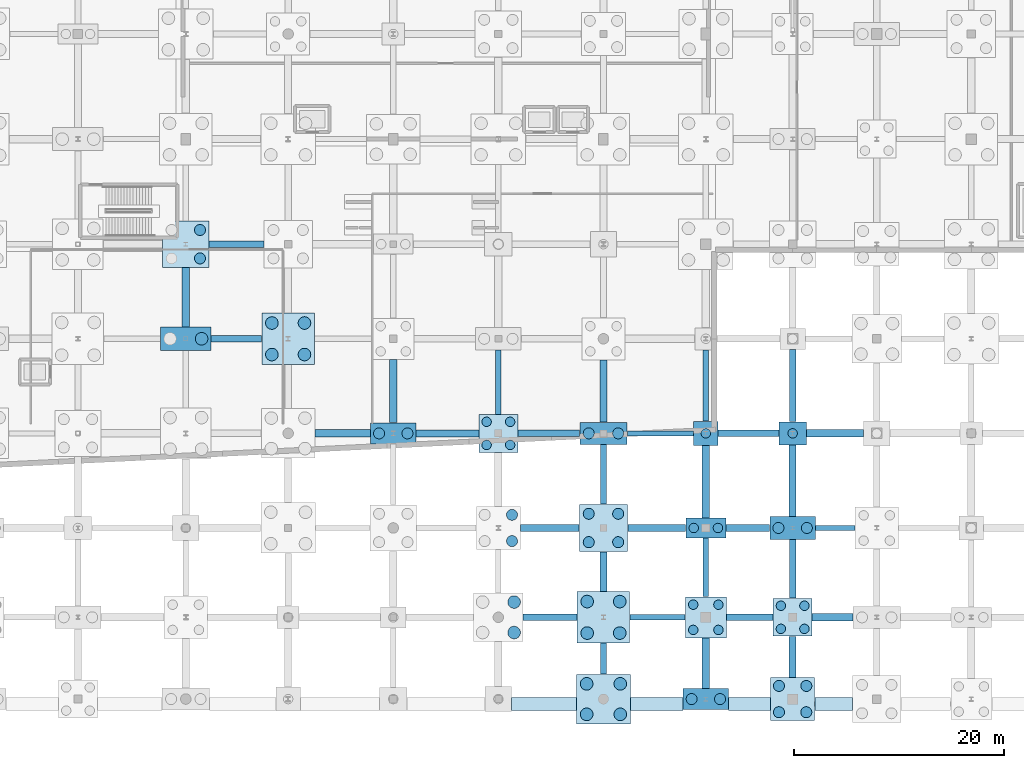
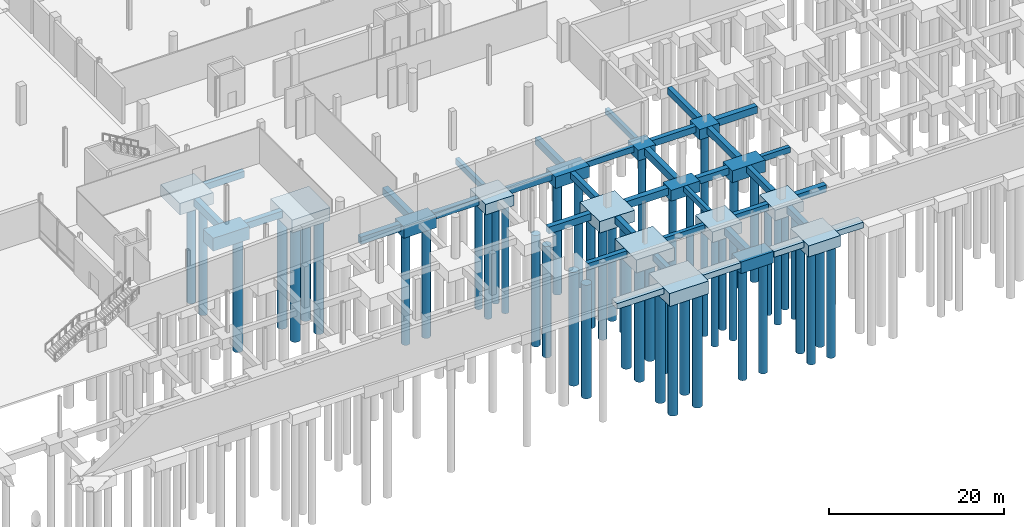
# One storey, part 4 of 60: 52 footings, 51 piles.
"""IFC4 building model written with IfcOpenShell, lengths in metres."""

from ifc_helpers import new_model, si_unit, direction, frame, origin, origin_2d, place, context, subcontext, project, spatial, rectangle, circle, extrude, material, material_profile, profile_set, type_object, element, save


model = new_model("IFC4")

# Units and contexts
model_context = context("Model", 3, precision=1e-05, world=origin(), true_north=direction((0.0, 1.0)))
body_context = subcontext(model_context, "Body", "Model", "MODEL_VIEW")
ifc_project = project(units=[si_unit("LENGTHUNIT", "METRE"), si_unit("AREAUNIT", "SQUARE_METRE"), si_unit("VOLUMEUNIT", "CUBIC_METRE"), si_unit("PLANEANGLEUNIT", "RADIAN"), si_unit("MASSUNIT", "GRAM", prefix="KILO")], contexts=[model_context])

# Site, building, storey
site_placement = place(None, origin())
site = spatial("IfcSite", under=ifc_project, at=site_placement, CompositionType="ELEMENT")
building_placement = place(site_placement, origin())
building = spatial("IfcBuilding", under=site, at=building_placement, Name="Trimount Lyric Opera House", CompositionType="ELEMENT")
storey_placement = place(building_placement, frame((0.0, 0.0, -5.39990234375)))
storey = spatial("IfcBuildingStorey", under=building, at=storey_placement, Name="B1", CompositionType="ELEMENT", Elevation=-5.39990234375)

# Footings
ifc_material_1 = material(Name="Concrete C40/50", Category="concrete")
footing_type_1 = type_object("IfcFootingType", Name="FB-01", PredefinedType="FOOTING_BEAM", material=ifc_material_1)
footing_1_placement = place(storey_placement, frame((64.260009765625, 38.949951171875, -1.60009765625), z_axis=(0.0, 0.0, 1.0), x_axis=(1.0, 0.0, 0.0)))
element("IfcFooting", 1, at=footing_1_placement, inside=storey, type_object=footing_type_1, Name="Ground tie beam Y-0152", PredefinedType="FOOTING_BEAM", context=body_context, shape_type="SweptSolid", body=[
    extrude(rectangle(XDim=0.699951171875, YDim=5.669921875, at=origin_2d()), origin(), (0.0, 0.0, 1.0), 1.0),
])
footing_2_placement = place(storey_placement, frame((79.199951171875, 26.0, -1.60009765625), z_axis=(0.0, 0.0, 1.0), x_axis=(1.0, 0.0, 0.0)))
element("IfcFooting", 2, at=footing_2_placement, inside=storey, type_object=footing_type_1, Name="Ground tie beam X-0172", PredefinedType="FOOTING_BEAM", context=body_context, shape_type="SweptSolid", body=[
    extrude(rectangle(XDim=5.27001953125, YDim=0.699951171875, at=origin_2d()), origin(), (0.0, 0.0, 1.0), 1.0),
])
footing_3_placement = place(storey_placement, frame((84.0, 30.02490234375, -1.60009765625), z_axis=(0.0, 0.0, 1.0), x_axis=(1.0, 0.0, 0.0)))
element("IfcFooting", 3, at=footing_3_placement, inside=storey, type_object=footing_type_1, Name="Ground tie beam Y-0196", PredefinedType="FOOTING_BEAM", context=body_context, shape_type="SweptSolid", body=[
    extrude(rectangle(XDim=0.699951171875, YDim=6.02001953125, at=origin_2d()), origin(), (0.0, 0.0, 1.0), 1.0),
])
footing_4_placement = place(storey_placement, frame((109.070068359375, 17.0, -1.60009765625), z_axis=(0.0, 0.0, 1.0), x_axis=(1.0, 0.0, 0.0)))
element("IfcFooting", 4, at=footing_4_placement, inside=storey, type_object=footing_type_1, Name="Ground tie beam X-0244", PredefinedType="FOOTING_BEAM", context=body_context, shape_type="SweptSolid", body=[
    extrude(rectangle(XDim=5.510009765625, YDim=0.699951171875, at=origin_2d()), origin(), (0.0, 0.0, 1.0), 1.0),
])
footing_5_placement = place(storey_placement, frame((113.739990234375, 4.135009765625, -1.60009765625), z_axis=(0.0, 0.0, 1.0), x_axis=(1.0, 0.0, 0.0)))
element("IfcFooting", 5, at=footing_5_placement, inside=storey, type_object=footing_type_1, Name="Ground tie beam Y-0264", PredefinedType="FOOTING_BEAM", context=body_context, shape_type="SweptSolid", body=[
    extrude(rectangle(XDim=0.699951171875, YDim=4.800048828125, at=origin_2d()), origin(), (0.0, 0.0, 1.0), 1.0),
])
footing_6_placement = place(storey_placement, frame((113.739990234375, 21.39990234375, -1.60009765625), z_axis=(0.0, 0.0, 1.0), x_axis=(1.0, 0.0, 0.0)))
element("IfcFooting", 6, at=footing_6_placement, inside=storey, type_object=footing_type_1, Name="Ground tie beam Y-0268", PredefinedType="FOOTING_BEAM", context=body_context, shape_type="SweptSolid", body=[
    extrude(rectangle(XDim=0.699951171875, YDim=6.8701171875, at=origin_2d()), origin(), (0.0, 0.0, 1.0), 1.0),
])
footing_7_placement = place(storey_placement, frame((125.800048828125, 8.5, -1.60009765625), z_axis=(0.0, 0.0, 1.0), x_axis=(1.0, 0.0, 0.0)))
element("IfcFooting", 7, at=footing_7_placement, inside=storey, type_object=footing_type_1, Name="Ground tie beam X-0288", PredefinedType="FOOTING_BEAM", context=body_context, shape_type="SweptSolid", body=[
    extrude(rectangle(XDim=3.8701171875, YDim=0.699951171875, at=origin_2d()), origin(), (0.0, 0.0, 1.0), 1.0),
])
footing_8_placement = place(storey_placement, frame((126.02490234375, 26.0, -1.60009765625), z_axis=(0.0, 0.0, 1.0), x_axis=(1.0, 0.0, 0.0)))
element("IfcFooting", 8, at=footing_8_placement, inside=storey, type_object=footing_type_1, Name="Ground tie beam X-0292", PredefinedType="FOOTING_BEAM", context=body_context, shape_type="SweptSolid", body=[
    extrude(rectangle(XDim=5.419921875, YDim=0.699951171875, at=origin_2d()), origin(), (0.0, 0.0, 1.0), 1.0),
])
ifc_material_2 = material(Name="Concrete C40/50", Category="concrete")
footing_type_2 = type_object("IfcFootingType", Name="FB-02", PredefinedType="FOOTING_BEAM", material=ifc_material_2)
footing_9_placement = place(storey_placement, frame((69.080078125, 44.0, -1.5), z_axis=(0.0, 0.0, 1.0), x_axis=(1.0, 0.0, 0.0)))
element("IfcFooting", 9, at=footing_9_placement, inside=storey, type_object=footing_type_2, Name="Ground tie beam X-0153", PredefinedType="FOOTING_BEAM", context=body_context, shape_type="SweptSolid", body=[
    extrude(rectangle(XDim=5.2099609375, YDim=0.60009765625, at=origin_2d()), origin(), (0.0, 0.0, 1.0), 0.89990234375),
])
footing_10_placement = place(storey_placement, frame((98.925048828125, 8.5, -1.5), z_axis=(0.0, 0.0, 1.0), x_axis=(1.0, 0.0, 0.0)))
element("IfcFooting", 10, at=footing_10_placement, inside=storey, type_object=footing_type_2, Name="Ground tie beam X-0217", PredefinedType="FOOTING_BEAM", context=body_context, shape_type="SweptSolid", body=[
    extrude(rectangle(XDim=5.1201171875, YDim=0.60009765625, at=origin_2d()), origin(), (0.0, 0.0, 1.0), 0.89990234375),
])
footing_11_placement = place(storey_placement, frame((98.800048828125, 26.0, -1.5), z_axis=(0.0, 0.0, 1.0), x_axis=(1.0, 0.0, 0.0)))
element("IfcFooting", 11, at=footing_11_placement, inside=storey, type_object=footing_type_2, Name="Ground tie beam X-0221", PredefinedType="FOOTING_BEAM", context=body_context, shape_type="SweptSolid", body=[
    extrude(rectangle(XDim=5.8701171875, YDim=0.60009765625, at=origin_2d()), origin(), (0.0, 0.0, 1.0), 0.89990234375),
])
footing_12_placement = place(storey_placement, frame((104.0, 4.56005859375, -1.5), z_axis=(0.0, 0.0, 1.0), x_axis=(1.0, 0.0, 0.0)))
element("IfcFooting", 12, at=footing_12_placement, inside=storey, type_object=footing_type_2, Name="Ground tie beam Y-0241", PredefinedType="FOOTING_BEAM", context=body_context, shape_type="SweptSolid", body=[
    extrude(rectangle(XDim=0.60009765625, YDim=2.949951171875, at=origin_2d()), origin(), (0.0, 0.0, 1.0), 0.89990234375),
])
footing_13_placement = place(storey_placement, frame((104.0, 22.10009765625, -1.5), z_axis=(0.0, 0.0, 1.0), x_axis=(1.0, 0.0, 0.0)))
element("IfcFooting", 13, at=footing_13_placement, inside=storey, type_object=footing_type_2, Name="Ground tie beam Y-0245", PredefinedType="FOOTING_BEAM", context=body_context, shape_type="SweptSolid", body=[
    extrude(rectangle(XDim=0.60009765625, YDim=5.669921875, at=origin_2d()), origin(), (0.0, 0.0, 1.0), 0.89990234375),
])
footing_14_placement = place(storey_placement, frame((117.919921875, 8.5, -1.5), z_axis=(0.0, 0.0, 1.0), x_axis=(1.0, 0.0, 0.0)))
element("IfcFooting", 14, at=footing_14_placement, inside=storey, type_object=footing_type_2, Name="Ground tie beam X-0265", PredefinedType="FOOTING_BEAM", context=body_context, shape_type="SweptSolid", body=[
    extrude(rectangle(XDim=4.429931640625, YDim=0.60009765625, at=origin_2d()), origin(), (0.0, 0.0, 1.0), 0.89990234375),
])
footing_15_placement = place(storey_placement, frame((117.794921875, 26.0, -1.5), z_axis=(0.0, 0.0, 1.0), x_axis=(1.0, 0.0, 0.0)))
element("IfcFooting", 15, at=footing_15_placement, inside=storey, type_object=footing_type_2, Name="Ground tie beam X-0269", PredefinedType="FOOTING_BEAM", context=body_context, shape_type="SweptSolid", body=[
    extrude(rectangle(XDim=5.780029296875, YDim=0.60009765625, at=origin_2d()), origin(), (0.0, 0.0, 1.0), 0.89990234375),
])
footing_16_placement = place(storey_placement, frame((122.0, 13.112548828125, -1.5), z_axis=(0.0, 0.0, 1.0), x_axis=(1.0, 0.0, 0.0)))
element("IfcFooting", 16, at=footing_16_placement, inside=storey, type_object=footing_type_2, Name="Ground tie beam Y-0289", PredefinedType="FOOTING_BEAM", context=body_context, shape_type="SweptSolid", body=[
    extrude(rectangle(XDim=0.60009765625, YDim=5.594970703125, at=origin_2d()), origin(), (0.0, 0.0, 1.0), 0.89990234375),
])
footing_17_placement = place(storey_placement, frame((122.0, 30.550048828125, -1.5), z_axis=(0.0, 0.0, 1.0), x_axis=(1.0, 0.0, 0.0)))
element("IfcFooting", 17, at=footing_17_placement, inside=storey, type_object=footing_type_2, Name="Ground tie beam Y-0293", PredefinedType="FOOTING_BEAM", context=body_context, shape_type="SweptSolid", body=[
    extrude(rectangle(XDim=0.60009765625, YDim=6.8701171875, at=origin_2d()), origin(), (0.0, 0.0, 1.0), 0.89990234375),
])
ifc_material_3 = material(Name="Concrete C40/50", Category="concrete")
footing_type_3 = type_object("IfcFootingType", Name="FB-03", PredefinedType="FOOTING_BEAM", material=ifc_material_3)
footing_18_placement = place(storey_placement, frame((94.0, 30.862548828125, -1.39990234375), z_axis=(0.0, 0.0, 1.0), x_axis=(1.0, 0.0, 0.0)))
element("IfcFooting", 18, at=footing_18_placement, inside=storey, type_object=footing_type_3, Name="Ground tie beam Y-0222", PredefinedType="FOOTING_BEAM", context=body_context, shape_type="SweptSolid", body=[
    extrude(rectangle(XDim=0.5, YDim=6.094970703125, at=origin_2d()), origin(), (0.0, 0.0, 1.0), 0.800048828125),
])
footing_19_placement = place(storey_placement, frame((109.14501953125, 8.5, -1.39990234375), z_axis=(0.0, 0.0, 1.0), x_axis=(1.0, 0.0, 0.0)))
element("IfcFooting", 19, at=footing_19_placement, inside=storey, type_object=footing_type_3, Name="Ground tie beam X-0242", PredefinedType="FOOTING_BEAM", context=body_context, shape_type="SweptSolid", body=[
    extrude(rectangle(XDim=5.260009765625, YDim=0.5, at=origin_2d()), origin(), (0.0, 0.0, 1.0), 0.800048828125),
])
footing_20_placement = place(storey_placement, frame((109.419921875, 26.0, -1.39990234375), z_axis=(0.0, 0.0, 1.0), x_axis=(1.0, 0.0, 0.0)))
element("IfcFooting", 20, at=footing_20_placement, inside=storey, type_object=footing_type_3, Name="Ground tie beam X-0246", PredefinedType="FOOTING_BEAM", context=body_context, shape_type="SweptSolid", body=[
    extrude(rectangle(XDim=6.31005859375, YDim=0.5, at=origin_2d()), origin(), (0.0, 0.0, 1.0), 0.800048828125),
])
footing_21_placement = place(storey_placement, frame((113.739990234375, 13.25, -1.39990234375), z_axis=(0.0, 0.0, 1.0), x_axis=(1.0, 0.0, 0.0)))
element("IfcFooting", 21, at=footing_21_placement, inside=storey, type_object=footing_type_3, Name="Ground tie beam Y-0266", PredefinedType="FOOTING_BEAM", context=body_context, shape_type="SweptSolid", body=[
    extrude(rectangle(XDim=0.5, YDim=5.570068359375, at=origin_2d()), origin(), (0.0, 0.0, 1.0), 0.800048828125),
])
footing_22_placement = place(storey_placement, frame((113.739990234375, 30.550048828125, -1.39990234375), z_axis=(0.0, 0.0, 1.0), x_axis=(1.0, 0.0, 0.0)))
element("IfcFooting", 22, at=footing_22_placement, inside=storey, type_object=footing_type_3, Name="Ground tie beam Y-0270", PredefinedType="FOOTING_BEAM", context=body_context, shape_type="SweptSolid", body=[
    extrude(rectangle(XDim=0.5, YDim=6.77001953125, at=origin_2d()), origin(), (0.0, 0.0, 1.0), 0.800048828125),
])
footing_23_placement = place(storey_placement, frame((126.0625, 17.0, -1.39990234375), z_axis=(0.0, 0.0, 1.0), x_axis=(1.0, 0.0, 0.0)))
element("IfcFooting", 23, at=footing_23_placement, inside=storey, type_object=footing_type_3, Name="Ground tie beam X-0290", PredefinedType="FOOTING_BEAM", context=body_context, shape_type="SweptSolid", body=[
    extrude(rectangle(XDim=3.7451171875, YDim=0.5, at=origin_2d()), origin(), (0.0, 0.0, 1.0), 0.800048828125),
])
ifc_material_4 = material(Name="Concrete C40/50", Category="concrete")
footing_type_4 = type_object("IfcFootingType", Name="FB-04", PredefinedType="FOOTING_BEAM", material=ifc_material_4)
footing_24_placement = place(storey_placement, frame((69.080078125, 35.0, -1.55029296875), z_axis=(0.0, 0.0, 1.0), x_axis=(1.0, 0.0, 0.0)))
element("IfcFooting", 24, at=footing_24_placement, inside=storey, type_object=footing_type_4, Name="Ground tie beam X-0151", PredefinedType="FOOTING_BEAM", context=body_context, shape_type="SweptSolid", body=[
    extrude(rectangle(XDim=4.81005859375, YDim=0.64990234375, at=origin_2d()), origin(), (0.0, 0.0, 1.0), 0.949951171875),
])
footing_25_placement = place(storey_placement, frame((89.14990234375, 26.0, -1.55029296875), z_axis=(0.0, 0.0, 1.0), x_axis=(1.0, 0.0, 0.0)))
element("IfcFooting", 25, at=footing_25_placement, inside=storey, type_object=footing_type_4, Name="Ground tie beam X-0195", PredefinedType="FOOTING_BEAM", context=body_context, shape_type="SweptSolid", body=[
    extrude(rectangle(XDim=5.969970703125, YDim=0.64990234375, at=origin_2d()), origin(), (0.0, 0.0, 1.0), 0.949951171875),
])
footing_26_placement = place(storey_placement, frame((98.89990234375, 17.0, -1.55029296875), z_axis=(0.0, 0.0, 1.0), x_axis=(1.0, 0.0, 0.0)))
element("IfcFooting", 26, at=footing_26_placement, inside=storey, type_object=footing_type_4, Name="Ground tie beam X-0219", PredefinedType="FOOTING_BEAM", context=body_context, shape_type="SweptSolid", body=[
    extrude(rectangle(XDim=5.570068359375, YDim=0.64990234375, at=origin_2d()), origin(), (0.0, 0.0, 1.0), 0.949951171875),
])
footing_27_placement = place(storey_placement, frame((104.0, 12.85009765625, -1.55029296875), z_axis=(0.0, 0.0, 1.0), x_axis=(1.0, 0.0, 0.0)))
element("IfcFooting", 27, at=footing_27_placement, inside=storey, type_object=footing_type_4, Name="Ground tie beam Y-0243", PredefinedType="FOOTING_BEAM", context=body_context, shape_type="SweptSolid", body=[
    extrude(rectangle(XDim=0.64990234375, YDim=3.77001953125, at=origin_2d()), origin(), (0.0, 0.0, 1.0), 0.949951171875),
])
footing_28_placement = place(storey_placement, frame((104.0, 30.02490234375, -1.55029296875), z_axis=(0.0, 0.0, 1.0), x_axis=(1.0, 0.0, 0.0)))
element("IfcFooting", 28, at=footing_28_placement, inside=storey, type_object=footing_type_4, Name="Ground tie beam Y-0247", PredefinedType="FOOTING_BEAM", context=body_context, shape_type="SweptSolid", body=[
    extrude(rectangle(XDim=0.64990234375, YDim=5.919921875, at=origin_2d()), origin(), (0.0, 0.0, 1.0), 0.949951171875),
])
footing_29_placement = place(storey_placement, frame((117.732421875, 17.0, -1.55029296875), z_axis=(0.0, 0.0, 1.0), x_axis=(1.0, 0.0, 0.0)))
element("IfcFooting", 29, at=footing_29_placement, inside=storey, type_object=footing_type_4, Name="Ground tie beam X-0267", PredefinedType="FOOTING_BEAM", context=body_context, shape_type="SweptSolid", body=[
    extrude(rectangle(XDim=4.155029296875, YDim=0.64990234375, at=origin_2d()), origin(), (0.0, 0.0, 1.0), 0.949951171875),
])
footing_30_placement = place(storey_placement, frame((122.0, 4.735107421875, -1.55029296875), z_axis=(0.0, 0.0, 1.0), x_axis=(1.0, 0.0, 0.0)))
element("IfcFooting", 30, at=footing_30_placement, inside=storey, type_object=footing_type_4, Name="Ground tie beam Y-0287", PredefinedType="FOOTING_BEAM", context=body_context, shape_type="SweptSolid", body=[
    extrude(rectangle(XDim=0.64990234375, YDim=3.89990234375, at=origin_2d()), origin(), (0.0, 0.0, 1.0), 0.949951171875),
])
footing_31_placement = place(storey_placement, frame((122.0, 21.487548828125, -1.55029296875), z_axis=(0.0, 0.0, 1.0), x_axis=(1.0, 0.0, 0.0)))
element("IfcFooting", 31, at=footing_31_placement, inside=storey, type_object=footing_type_4, Name="Ground tie beam Y-0291", PredefinedType="FOOTING_BEAM", context=body_context, shape_type="SweptSolid", body=[
    extrude(rectangle(XDim=0.64990234375, YDim=6.794921875, at=origin_2d()), origin(), (0.0, 0.0, 1.0), 0.949951171875),
])
ifc_material_5 = material(Name="Concrete C40/50", Category="concrete")
footing_type_5 = type_object("IfcFootingType", Name="PC-03", PredefinedType="PILE_CAP", material=ifc_material_5)
footing_32_placement = place(storey_placement, frame((64.260009765625, 35.0, -2.39990234375), z_axis=(0.0, 0.0, 1.0), x_axis=(1.0, 0.0, 0.0)))
element("IfcFooting", 32, at=footing_32_placement, inside=storey, type_object=footing_type_5, Name="Pile cap 8/E", PredefinedType="PILE_CAP", context=body_context, shape_type="SweptSolid", body=[
    extrude(rectangle(XDim=4.800048828125, YDim=2.199951171875, at=origin_2d()), origin(), (0.0, 0.0, 1.0), 1.800048828125),
])
ifc_material_6 = material(Name="Concrete C40/50", Category="concrete")
footing_type_6 = type_object("IfcFootingType", Name="PC-04", PredefinedType="PILE_CAP", material=ifc_material_6)
footing_33_placement = place(storey_placement, frame((64.260009765625, 44.0, -2.2001953125), z_axis=(0.0, 0.0, 1.0), x_axis=(1.0, 0.0, 0.0)))
element("IfcFooting", 33, at=footing_33_placement, inside=storey, type_object=footing_type_6, Name="Pile cap 8/F", PredefinedType="PILE_CAP", context=body_context, shape_type="SweptSolid", body=[
    extrude(rectangle(XDim=4.39990234375, YDim=4.39990234375, at=origin_2d()), origin(), (0.0, 0.0, 1.0), 1.60009765625),
])
ifc_material_7 = material(Name="Concrete C40/50", Category="concrete")
footing_type_7 = type_object("IfcFootingType", Name="PC-05", PredefinedType="PILE_CAP", material=ifc_material_7)
for number, where, z_axis, x_axis, name in (
    (34, (84.0, 26.0, -2.2001953125), (0.0, 0.0, 1.0), (1.0, 0.0, 0.0), "Pile cap 10/D"),
    (35, (113.739990234375, 0.719970703125, -2.2001953125), (0.0, 0.0, 1.0), (1.0, 0.0, 0.0), "Pile cap 13/A"),
):
    element("IfcFooting", number, at=place(storey_placement, frame(where, z_axis=z_axis, x_axis=x_axis)), inside=storey, type_object=footing_type_7, Name=name, PredefinedType="PILE_CAP", context=body_context, shape_type="SweptSolid", body=[
        extrude(rectangle(XDim=4.300048828125, YDim=2.0, at=origin_2d()), origin(), (0.0, 0.0, 1.0), 1.60009765625),
    ])
ifc_material_8 = material(Name="Concrete C40/50", Category="concrete")
footing_type_8 = type_object("IfcFootingType", Name="PC-06", PredefinedType="PILE_CAP", material=ifc_material_8)
footing_34_placement = place(storey_placement, frame((113.739990234375, 8.5, -2.10009765625), z_axis=(0.0, 0.0, 1.0), x_axis=(1.0, 0.0, 0.0)))
element("IfcFooting", 36, at=footing_34_placement, inside=storey, type_object=footing_type_8, Name="Pile cap 13/B", PredefinedType="PILE_CAP", context=body_context, shape_type="SweptSolid", body=[
    extrude(rectangle(XDim=3.89990234375, YDim=3.89990234375, at=origin_2d()), origin(), (0.0, 0.0, 1.0), 1.5),
])
ifc_material_9 = material(Name="Concrete C40/50", Category="concrete")
footing_type_9 = type_object("IfcFootingType", Name="PC-07", PredefinedType="PILE_CAP", material=ifc_material_9)
footing_35_placement = place(storey_placement, frame((113.739990234375, 17.0, -2.10009765625), z_axis=(0.0, 0.0, 1.0), x_axis=(1.0, 0.0, 0.0)))
element("IfcFooting", 37, at=footing_35_placement, inside=storey, type_object=footing_type_9, Name="Pile cap 13/C", PredefinedType="PILE_CAP", context=body_context, shape_type="SweptSolid", body=[
    extrude(rectangle(XDim=3.800048828125, YDim=1.89990234375, at=origin_2d()), origin(), (0.0, 0.0, 1.0), 1.5),
])
ifc_material_10 = material(Name="Concrete C40/50", Category="concrete")
footing_type_10 = type_object("IfcFootingType", Name="PC-08", PredefinedType="PILE_CAP", material=ifc_material_10)
footing_36_placement = place(storey_placement, frame((113.739990234375, 26.0, -2.10009765625), z_axis=(0.0, 0.0, 1.0), x_axis=(1.0, 0.0, 0.0)))
element("IfcFooting", 38, at=footing_36_placement, inside=storey, type_object=footing_type_10, Name="Pile cap 13/D", PredefinedType="PILE_CAP", context=body_context, shape_type="SweptSolid", body=[
    extrude(rectangle(XDim=2.300048828125, YDim=2.300048828125, at=origin_2d()), origin(), (0.0, 0.0, 1.0), 1.5),
])
ifc_material_11 = material(Name="Concrete C40/50", Category="concrete")
footing_type_11 = type_object("IfcFootingType", Name="PC-11", PredefinedType="PILE_CAP", material=ifc_material_11)
footing_37_placement = place(storey_placement, frame((104.0, 0.719970703125, -2.39990234375), z_axis=(0.0, 0.0, 1.0), x_axis=(1.0, 0.0, 0.0)))
element("IfcFooting", 39, at=footing_37_placement, inside=storey, type_object=footing_type_11, Name="Pile cap 12/A", PredefinedType="PILE_CAP", context=body_context, shape_type="SweptSolid", body=[
    extrude(rectangle(XDim=5.10009765625, YDim=4.699951171875, at=origin_2d()), origin(), (0.0, 0.0, 1.0), 1.800048828125),
])
ifc_material_12 = material(Name="Concrete C40/50", Category="concrete")
footing_type_12 = type_object("IfcFootingType", Name="PC-12", PredefinedType="PILE_CAP", material=ifc_material_12)
for number, where, z_axis, x_axis, name in (
    (40, (74.0, 35.0, -2.39990234375), (0.0, 0.0, 1.0), (1.0, 0.0, 0.0), "Pile cap 9/E"),
    (41, (104.0, 8.5, -2.39990234375), (0.0, 0.0, 1.0), (1.0, 0.0, 0.0), "Pile cap 12/B"),
):
    element("IfcFooting", number, at=place(storey_placement, frame(where, z_axis=z_axis, x_axis=x_axis)), inside=storey, type_object=footing_type_12, Name=name, PredefinedType="PILE_CAP", context=body_context, shape_type="SweptSolid", body=[
        extrude(rectangle(XDim=5.0, YDim=4.89990234375, at=origin_2d()), origin(), (0.0, 0.0, 1.0), 1.800048828125),
    ])
ifc_material_13 = material(Name="Concrete C40/50", Category="concrete")
footing_type_13 = type_object("IfcFootingType", Name="PC-13", PredefinedType="PILE_CAP", material=ifc_material_13)
footing_38_placement = place(storey_placement, frame((104.0, 17.0, -2.2001953125), z_axis=(0.0, 0.0, 1.0), x_axis=(1.0, 0.0, 0.0)))
element("IfcFooting", 42, at=footing_38_placement, inside=storey, type_object=footing_type_13, Name="Pile cap 12/C", PredefinedType="PILE_CAP", context=body_context, shape_type="SweptSolid", body=[
    extrude(rectangle(XDim=4.60009765625, YDim=4.5, at=origin_2d()), origin(), (0.0, 0.0, 1.0), 1.60009765625),
])
ifc_material_14 = material(Name="Concrete C40/50", Category="concrete")
footing_type_14 = type_object("IfcFootingType", Name="PC-14", PredefinedType="PILE_CAP", material=ifc_material_14)
footing_39_placement = place(storey_placement, frame((104.0, 26.0, -2.2001953125), z_axis=(0.0, 0.0, 1.0), x_axis=(1.0, 0.0, 0.0)))
element("IfcFooting", 43, at=footing_39_placement, inside=storey, type_object=footing_type_14, Name="Pile cap 12/D", PredefinedType="PILE_CAP", context=body_context, shape_type="SweptSolid", body=[
    extrude(rectangle(XDim=4.5, YDim=2.10009765625, at=origin_2d()), origin(), (0.0, 0.0, 1.0), 1.60009765625),
])
ifc_material_15 = material(Name="Concrete C40/50", Category="concrete")
footing_type_15 = type_object("IfcFootingType", Name="PC-18", PredefinedType="PILE_CAP", material=ifc_material_15)
footing_40_placement = place(storey_placement, frame((122.0, 0.719970703125, -2.14990234375), z_axis=(0.0, 0.0, 1.0), x_axis=(1.0, 0.0, 0.0)))
element("IfcFooting", 44, at=footing_40_placement, inside=storey, type_object=footing_type_15, Name="Pile cap 14/A", PredefinedType="PILE_CAP", context=body_context, shape_type="SweptSolid", body=[
    extrude(rectangle(XDim=4.199951171875, YDim=4.10009765625, at=origin_2d()), origin(), (0.0, 0.0, 1.0), 1.550048828125),
])
ifc_material_16 = material(Name="Concrete C40/50", Category="concrete")
footing_type_16 = type_object("IfcFootingType", Name="PC-19", PredefinedType="PILE_CAP", material=ifc_material_16)
for number, where, z_axis, x_axis, name in (
    (45, (94.0, 26.0, -2.05029296875), (0.0, 0.0, 1.0), (1.0, 0.0, 0.0), "Pile cap 11/D"),
    (46, (122.0, 8.5, -2.05029296875), (0.0, 0.0, 1.0), (1.0, 0.0, 0.0), "Pile cap 14/B"),
):
    element("IfcFooting", number, at=place(storey_placement, frame(where, z_axis=z_axis, x_axis=x_axis)), inside=storey, type_object=footing_type_16, Name=name, PredefinedType="PILE_CAP", context=body_context, shape_type="SweptSolid", body=[
        extrude(rectangle(XDim=3.699951171875, YDim=3.60009765625, at=origin_2d()), origin(), (0.0, 0.0, 1.0), 1.449951171875),
    ])
ifc_material_17 = material(Name="Concrete C40/50", Category="concrete")
footing_type_17 = type_object("IfcFootingType", Name="PC-20", PredefinedType="PILE_CAP", material=ifc_material_17)
footing_41_placement = place(storey_placement, frame((122.0, 17.0, -2.25), z_axis=(0.0, 0.0, 1.0), x_axis=(1.0, 0.0, 0.0)))
element("IfcFooting", 47, at=footing_41_placement, inside=storey, type_object=footing_type_17, Name="Pile cap 14/C", PredefinedType="PILE_CAP", context=body_context, shape_type="SweptSolid", body=[
    extrude(rectangle(XDim=4.35009765625, YDim=2.14990234375, at=origin_2d()), origin(), (0.0, 0.0, 1.0), 1.64990234375),
])
ifc_material_18 = material(Name="Concrete C40/50", Category="concrete")
footing_type_18 = type_object("IfcFootingType", Name="PC-21", PredefinedType="PILE_CAP", material=ifc_material_18)
footing_42_placement = place(storey_placement, frame((122.0, 26.0, -2.05029296875), z_axis=(0.0, 0.0, 1.0), x_axis=(1.0, 0.0, 0.0)))
element("IfcFooting", 48, at=footing_42_placement, inside=storey, type_object=footing_type_18, Name="Pile cap 14/D", PredefinedType="PILE_CAP", context=body_context, shape_type="SweptSolid", body=[
    extrude(rectangle(XDim=2.60009765625, YDim=2.199951171875, at=origin_2d()), origin(), (0.0, 0.0, 1.0), 1.449951171875),
])

# Piles
ifc_material_19 = material(Name="Concrete C40/50", Category="concrete")
ifc_material_profile_1 = material_profile(ifc_material_19, circle(Radius=0.52490234375, at=origin_2d()), Name="PILE-D1050")
ifc_profile_set_1 = profile_set([ifc_material_profile_1], Name="Concrete C40/50")
pile_type_1 = type_object("IfcPileType", Name="PL-1050", PredefinedType="BORED", material=ifc_profile_set_1)
for number, where, z_axis, x_axis, name in (
    (49, (65.610107421875, 42.64990234375, -2.10009765625), (0.0, 0.0, -1.0), (1.0, 0.0, 0.0), "Bored pile 0264"),
    (50, (65.610107421875, 45.35009765625, -2.10009765625), (0.0, 0.0, -1.0), (1.0, 0.0, 0.0), "Bored pile 0266"),
    (51, (82.64990234375, 26.0, -2.10009765625), (0.0, 0.0, -1.0), (1.0, 0.0, 0.0), "Bored pile 0344"),
    (52, (85.35009765625, 26.0, -2.10009765625), (0.0, 0.0, -1.0), (1.0, 0.0, 0.0), "Bored pile 0345"),
    (53, (95.300048828125, 15.75, -2.050048828125), (0.0, 0.0, -1.0), (1.0, 0.0, 0.0), "Bored pile 0385"),
    (54, (95.300048828125, 18.25, -2.050048828125), (0.0, 0.0, -1.0), (1.0, 0.0, 0.0), "Bored pile 0387"),
    (55, (102.60009765625, 15.64990234375, -2.10009765625), (0.0, 0.0, -1.0), (1.0, 0.0, 0.0), "Bored pile 0425"),
    (56, (105.39990234375, 15.64990234375, -2.10009765625), (0.0, 0.0, -1.0), (1.0, 0.0, 0.0), "Bored pile 0426"),
    (57, (102.60009765625, 18.35009765625, -2.10009765625), (0.0, 0.0, -1.0), (1.0, 0.0, 0.0), "Bored pile 0427"),
    (58, (105.39990234375, 18.35009765625, -2.10009765625), (0.0, 0.0, -1.0), (1.0, 0.0, 0.0), "Bored pile 0428"),
    (59, (102.60009765625, 26.0, -2.10009765625), (0.0, 0.0, -1.0), (1.0, 0.0, 0.0), "Bored pile 0429"),
    (60, (105.39990234375, 26.0, -2.10009765625), (0.0, 0.0, -1.0), (1.0, 0.0, 0.0), "Bored pile 0430"),
    (61, (112.389892578125, 0.719970703125, -2.10009765625), (0.0, 0.0, -1.0), (1.0, 0.0, 0.0), "Bored pile 0458"),
    (62, (115.090087890625, 0.719970703125, -2.10009765625), (0.0, 0.0, -1.0), (1.0, 0.0, 0.0), "Bored pile 0459"),
    (63, (120.699951171875, -0.530029296875, -2.050048828125), (0.0, 0.0, -1.0), (1.0, 0.0, 0.0), "Bored pile 0500"),
    (64, (123.300048828125, -0.530029296875, -2.050048828125), (0.0, 0.0, -1.0), (1.0, 0.0, 0.0), "Bored pile 0501"),
    (65, (120.699951171875, 1.969970703125, -2.050048828125), (0.0, 0.0, -1.0), (1.0, 0.0, 0.0), "Bored pile 0502"),
    (66, (123.300048828125, 1.969970703125, -2.050048828125), (0.0, 0.0, -1.0), (1.0, 0.0, 0.0), "Bored pile 0503"),
    (67, (120.64990234375, 17.0, -2.150146484375), (0.0, 0.0, -1.0), (1.0, 0.0, 0.0), "Bored pile 0508"),
    (68, (123.35009765625, 17.0, -2.150146484375), (0.0, 0.0, -1.0), (1.0, 0.0, 0.0), "Bored pile 0509"),
):
    element("IfcPile", number, at=place(storey_placement, frame(where, z_axis=z_axis, x_axis=x_axis)), inside=storey, type_object=pile_type_1, Name=name, PredefinedType="BORED", context=body_context, shape_type="SweptSolid", body=[
        extrude(circle(Radius=0.52490234375, at=origin_2d()), origin(), (0.0, 0.0, 1.0), 15.5),
    ])
ifc_material_20 = material(Name="Concrete C40/50", Category="concrete")
ifc_material_profile_2 = material_profile(ifc_material_20, circle(Radius=0.60009765625, at=origin_2d()), Name="PILE-D1200")
ifc_profile_set_2 = profile_set([ifc_material_profile_2], Name="Concrete C40/50")
pile_type_2 = type_object("IfcPileType", Name="PL-1200", PredefinedType="BORED", material=ifc_profile_set_2)
for number, where, z_axis, x_axis, name in (
    (69, (65.760009765625, 35.0, -2.300048828125), (0.0, 0.0, -1.0), (1.0, 0.0, 0.0), "Bored pile 0262"),
    (70, (72.449951171875, 33.5, -2.300048828125), (0.0, 0.0, -1.0), (1.0, 0.0, 0.0), "Bored pile 0305"),
    (71, (75.550048828125, 33.5, -2.300048828125), (0.0, 0.0, -1.0), (1.0, 0.0, 0.0), "Bored pile 0306"),
    (72, (72.449951171875, 36.5, -2.300048828125), (0.0, 0.0, -1.0), (1.0, 0.0, 0.0), "Bored pile 0307"),
    (73, (75.550048828125, 36.5, -2.300048828125), (0.0, 0.0, -1.0), (1.0, 0.0, 0.0), "Bored pile 0308"),
    (74, (95.5, 7.050048828125, -2.2001953125), (0.0, 0.0, -1.0), (1.0, 0.0, 0.0), "Bored pile 0381"),
    (75, (95.5, 9.949951171875, -2.2001953125), (0.0, 0.0, -1.0), (1.0, 0.0, 0.0), "Bored pile 0383"),
    (76, (102.39990234375, -0.72998046875, -2.300048828125), (0.0, 0.0, -1.0), (1.0, 0.0, 0.0), "Bored pile 0417"),
    (77, (105.60009765625, -0.72998046875, -2.300048828125), (0.0, 0.0, -1.0), (1.0, 0.0, 0.0), "Bored pile 0418"),
    (78, (102.39990234375, 2.169921875, -2.300048828125), (0.0, 0.0, -1.0), (1.0, 0.0, 0.0), "Bored pile 0419"),
    (79, (105.60009765625, 2.169921875, -2.300048828125), (0.0, 0.0, -1.0), (1.0, 0.0, 0.0), "Bored pile 0420"),
    (80, (102.449951171875, 7.0, -2.300048828125), (0.0, 0.0, -1.0), (1.0, 0.0, 0.0), "Bored pile 0421"),
    (81, (105.550048828125, 7.0, -2.300048828125), (0.0, 0.0, -1.0), (1.0, 0.0, 0.0), "Bored pile 0422"),
    (82, (102.449951171875, 10.0, -2.300048828125), (0.0, 0.0, -1.0), (1.0, 0.0, 0.0), "Bored pile 0423"),
    (83, (105.550048828125, 10.0, -2.300048828125), (0.0, 0.0, -1.0), (1.0, 0.0, 0.0), "Bored pile 0424"),
):
    element("IfcPile", number, at=place(storey_placement, frame(where, z_axis=z_axis, x_axis=x_axis)), inside=storey, type_object=pile_type_2, Name=name, PredefinedType="BORED", context=body_context, shape_type="SweptSolid", body=[
        extrude(circle(Radius=0.60009765625, at=origin_2d()), origin(), (0.0, 0.0, 1.0), 15.800048828125),
    ])
ifc_material_21 = material(Name="Concrete C40/50", Category="concrete")
ifc_material_profile_3 = material_profile(ifc_material_21, circle(Radius=0.449951171875, at=origin_2d()), Name="PILE-D900")
ifc_profile_set_3 = profile_set([ifc_material_profile_3], Name="Concrete C40/50")
pile_type_3 = type_object("IfcPileType", Name="PL-900", PredefinedType="BORED", material=ifc_profile_set_3)
for number, where, z_axis, x_axis, name in (
    (84, (92.8798828125, 24.89990234375, -1.9501953125), (0.0, 0.0, -1.0), (1.0, 0.0, 0.0), "Bored pile 0388"),
    (85, (95.1201171875, 24.89990234375, -1.9501953125), (0.0, 0.0, -1.0), (1.0, 0.0, 0.0), "Bored pile 0389"),
    (86, (92.8798828125, 27.10009765625, -1.9501953125), (0.0, 0.0, -1.0), (1.0, 0.0, 0.0), "Bored pile 0390"),
    (87, (95.1201171875, 27.10009765625, -1.9501953125), (0.0, 0.0, -1.0), (1.0, 0.0, 0.0), "Bored pile 0391"),
    (88, (112.5400390625, 7.300048828125, -2.0), (0.0, 0.0, -1.0), (1.0, 0.0, 0.0), "Bored pile 0460"),
    (89, (114.93994140625, 7.300048828125, -2.0), (0.0, 0.0, -1.0), (1.0, 0.0, 0.0), "Bored pile 0461"),
    (90, (112.5400390625, 9.699951171875, -2.0), (0.0, 0.0, -1.0), (1.0, 0.0, 0.0), "Bored pile 0462"),
    (91, (114.93994140625, 9.699951171875, -2.0), (0.0, 0.0, -1.0), (1.0, 0.0, 0.0), "Bored pile 0463"),
    (92, (112.590087890625, 17.0, -2.0), (0.0, 0.0, -1.0), (1.0, 0.0, 0.0), "Bored pile 0464"),
    (93, (114.889892578125, 17.0, -2.0), (0.0, 0.0, -1.0), (1.0, 0.0, 0.0), "Bored pile 0465"),
    (94, (113.739990234375, 26.0, -2.0), (0.0, 0.0, -1.0), (1.0, 0.0, 0.0), "Bored pile 0466"),
    (95, (120.8798828125, 7.39990234375, -1.9501953125), (0.0, 0.0, -1.0), (1.0, 0.0, 0.0), "Bored pile 0504"),
    (96, (123.1201171875, 7.39990234375, -1.9501953125), (0.0, 0.0, -1.0), (1.0, 0.0, 0.0), "Bored pile 0505"),
    (97, (120.8798828125, 9.60009765625, -1.9501953125), (0.0, 0.0, -1.0), (1.0, 0.0, 0.0), "Bored pile 0506"),
    (98, (123.1201171875, 9.60009765625, -1.9501953125), (0.0, 0.0, -1.0), (1.0, 0.0, 0.0), "Bored pile 0507"),
    (99, (122.0, 26.0, -1.9501953125), (0.0, 0.0, -1.0), (1.0, 0.0, 0.0), "Bored pile 0510"),
):
    element("IfcPile", number, at=place(storey_placement, frame(where, z_axis=z_axis, x_axis=x_axis)), inside=storey, type_object=pile_type_3, Name=name, PredefinedType="BORED", context=body_context, shape_type="SweptSolid", body=[
        extrude(circle(Radius=0.449951171875, at=origin_2d()), origin(), (0.0, 0.0, 1.0), 15.0),
    ])

# Footings
ifc_material_22 = material(Name="Concrete C40/50", Category="concrete")
footing_type_19 = type_object("IfcFootingType", Name="SF-02", PredefinedType="STRIP_FOOTING", material=ifc_material_22)
footing_43_placement = place(storey_placement, frame((98.35009765625, 0.25, -1.39990234375), z_axis=(0.0, 0.0, 1.0), x_axis=(1.0, 0.0, 0.0)))
element("IfcFooting", 100, at=footing_43_placement, inside=storey, type_object=footing_type_19, Name="Plaza perimeter plinth strip footing PLINTH-S1 seg 11", PredefinedType="STRIP_FOOTING", context=body_context, shape_type="SweptSolid", body=[
    extrude(rectangle(XDim=6.169921875, YDim=1.199951171875, at=origin_2d()), origin(), (0.0, 0.0, 1.0), 0.800048828125),
])
footing_44_placement = place(storey_placement, frame((109.070068359375, 0.25, -1.39990234375), z_axis=(0.0, 0.0, 1.0), x_axis=(1.0, 0.0, 0.0)))
element("IfcFooting", 101, at=footing_44_placement, inside=storey, type_object=footing_type_19, Name="Plaza perimeter plinth strip footing PLINTH-S1 seg 12", PredefinedType="STRIP_FOOTING", context=body_context, shape_type="SweptSolid", body=[
    extrude(rectangle(XDim=5.010009765625, YDim=1.199951171875, at=origin_2d()), origin(), (0.0, 0.0, 1.0), 0.800048828125),
])
footing_45_placement = place(storey_placement, frame((117.89501953125, 0.25, -1.39990234375), z_axis=(0.0, 0.0, 1.0), x_axis=(1.0, 0.0, 0.0)))
element("IfcFooting", 102, at=footing_45_placement, inside=storey, type_object=footing_type_19, Name="Plaza perimeter plinth strip footing PLINTH-S2 seg 1", PredefinedType="STRIP_FOOTING", context=body_context, shape_type="SweptSolid", body=[
    extrude(rectangle(XDim=3.97998046875, YDim=1.199951171875, at=origin_2d()), origin(), (0.0, 0.0, 1.0), 0.800048828125),
])
footing_46_placement = place(storey_placement, frame((125.89990234375, 0.25, -1.39990234375), z_axis=(0.0, 0.0, 1.0), x_axis=(1.0, 0.0, 0.0)))
element("IfcFooting", 103, at=footing_46_placement, inside=storey, type_object=footing_type_19, Name="Plaza perimeter plinth strip footing PLINTH-S2 seg 2", PredefinedType="STRIP_FOOTING", context=body_context, shape_type="SweptSolid", body=[
    extrude(rectangle(XDim=3.570068359375, YDim=1.199951171875, at=origin_2d()), origin(), (0.0, 0.0, 1.0), 0.800048828125),
])

save(model, "model.ifc")
